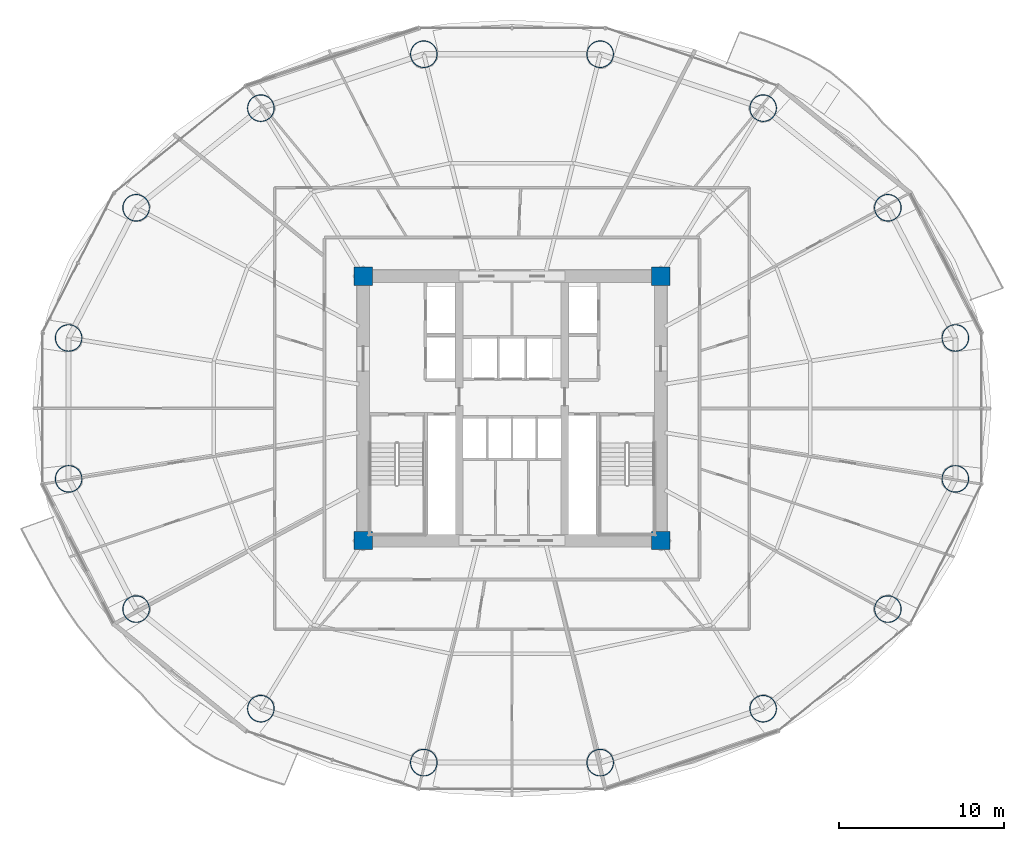
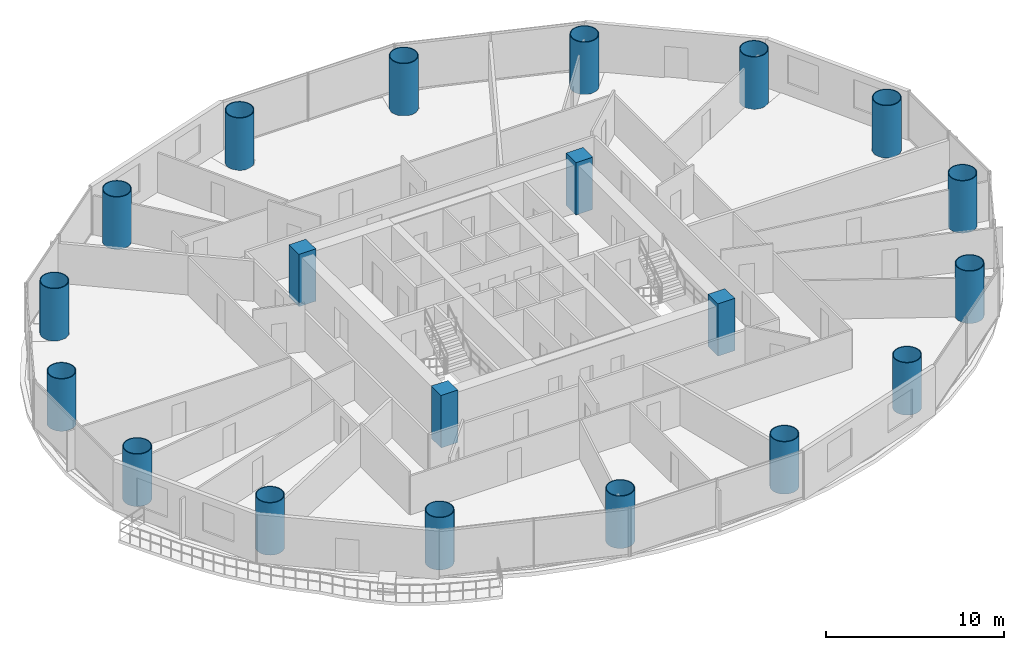
# One storey, part 1 of 29: 20 columns.
"""IFC4 building model written with IfcOpenShell, lengths in metres."""

from ifc_helpers import new_model, si_unit, direction, frame, origin, origin_2d, place, context, subcontext, project, spatial, rectangle, hollow_circle, extrude, material, material_profile, profile_set, type_object, element, save


model = new_model("IFC4")

# Units and contexts
model_context = context("Model", 3, precision=1e-05, world=origin(), true_north=direction((-0.2419218956, 0.970295726276)))
body_context = subcontext(model_context, "Body", "Model", "MODEL_VIEW")
ifc_project = project(units=[si_unit("LENGTHUNIT", "METRE"), si_unit("AREAUNIT", "SQUARE_METRE"), si_unit("VOLUMEUNIT", "CUBIC_METRE"), si_unit("PLANEANGLEUNIT", "RADIAN"), si_unit("MASSUNIT", "GRAM", prefix="KILO")], contexts=[model_context])

# Site, building, storey
site_placement = place(None, origin())
site = spatial("IfcSite", under=ifc_project, at=site_placement, CompositionType="ELEMENT")
building_placement = place(site_placement, origin())
building = spatial("IfcBuilding", under=site, at=building_placement, Name="Cobrevalo Terracotta Tower", CompositionType="ELEMENT")
storey_placement = place(building_placement, frame((0.0, 0.0, 67.199951171875)))
storey = spatial("IfcBuildingStorey", under=building, at=storey_placement, Name="L17", CompositionType="ELEMENT", Elevation=67.199951171875)

# Columns
ifc_material_1 = material(Name="Steel S355", Category="steel")
ifc_material_profile_1 = material_profile(ifc_material_1, hollow_circle(Radius=0.824951171875, WallThickness=0.050048828125, at=origin_2d()), Name="CHS 1650x50")
ifc_profile_set_1 = profile_set([ifc_material_profile_1], Name="Steel S355")
column_type_1 = type_object("IfcColumnType", Name="Structural Column CHS 1650x50 (Steel S355)", PredefinedType="COLUMN", material=ifc_profile_set_1)
for number, where, z_axis, x_axis, name in (
    (1, (64.824462890625, 31.062744140625, 0.0), (0.0, 0.0, 1.0), (1.0, 0.0, 0.0), "L17 composite megacolumn MC01"),
    (2, (60.74072265625, 38.939208984375, 0.0), (0.0, 0.0, 1.0), (1.0, 0.0, 0.0), "L17 composite megacolumn MC02"),
    (3, (53.19482421875, 44.967529296875, 0.0), (0.0, 0.0, 1.0), (1.0, 0.0, 0.0), "L17 composite megacolumn MC03"),
    (4, (43.335693359375, 48.230224609375, 0.0), (0.0, 0.0, 1.0), (1.0, 0.0, 0.0), "L17 composite megacolumn MC04"),
    (5, (32.664306640625, 48.230224609375, 0.0), (0.0, 0.0, 1.0), (1.0, 0.0, 0.0), "L17 composite megacolumn MC05"),
    (6, (22.80517578125, 44.967529296875, 0.0), (0.0, 0.0, 1.0), (1.0, 0.0, 0.0), "L17 composite megacolumn MC06"),
    (7, (15.25927734375, 38.939208984375, 0.0), (0.0, 0.0, 1.0), (1.0, 0.0, 0.0), "L17 composite megacolumn MC07"),
    (8, (11.175537109375, 31.062744140625, 0.0), (0.0, 0.0, 1.0), (1.0, 0.0, 0.0), "L17 composite megacolumn MC08"),
    (9, (11.175537109375, 22.537353515625, 0.0), (0.0, 0.0, 1.0), (1.0, 0.0, 0.0), "L17 composite megacolumn MC09"),
    (10, (15.25927734375, 14.660888671875, 0.0), (0.0, 0.0, 1.0), (1.0, 0.0, 0.0), "L17 composite megacolumn MC10"),
    (11, (22.80517578125, 8.63232421875, 0.0), (0.0, 0.0, 1.0), (1.0, 0.0, 0.0), "L17 composite megacolumn MC11"),
    (12, (32.664306640625, 5.369873046875, 0.0), (0.0, 0.0, 1.0), (1.0, 0.0, 0.0), "L17 composite megacolumn MC12"),
    (13, (43.335693359375, 5.369873046875, 0.0), (0.0, 0.0, 1.0), (1.0, 0.0, 0.0), "L17 composite megacolumn MC13"),
    (14, (53.19482421875, 8.63232421875, 0.0), (0.0, 0.0, 1.0), (1.0, 0.0, 0.0), "L17 composite megacolumn MC14"),
    (15, (60.74072265625, 14.660888671875, 0.0), (0.0, 0.0, 1.0), (1.0, 0.0, 0.0), "L17 composite megacolumn MC15"),
    (16, (64.824462890625, 22.537353515625, 0.0), (0.0, 0.0, 1.0), (1.0, 0.0, 0.0), "L17 composite megacolumn MC16"),
):
    element("IfcColumn", number, at=place(storey_placement, frame(where, z_axis=z_axis, x_axis=x_axis)), inside=storey, type_object=column_type_1, Name=name, PredefinedType="COLUMN", context=body_context, shape_type="SweptSolid", body=[
        extrude(hollow_circle(Radius=0.824951171875, WallThickness=0.050048828125, at=origin_2d()), origin(), (0.0, 0.0, 1.0), 3.60009765625),
    ])
ifc_material_2 = material(Name="Concrete C60", Category="concrete")
ifc_material_profile_2 = material_profile(ifc_material_2, rectangle(XDim=1.10009765625, YDim=1.10009765625, at=origin_2d()), Name="RC COL 1100x1100")
ifc_profile_set_2 = profile_set([ifc_material_profile_2], Name="Concrete C60")
column_type_2 = type_object("IfcColumnType", Name="Structural Column RC COL 1100x1100 (Concrete C60)", PredefinedType="COLUMN", material=ifc_profile_set_2)
for number, where, z_axis, x_axis, name in (
    (17, (29.0, 18.800048828125, 0.0), (0.0, 0.0, 1.0), (1.0, 0.0, 0.0), "L17 core corner column CC1"),
    (18, (47.0, 18.800048828125, 0.0), (0.0, 0.0, 1.0), (1.0, 0.0, 0.0), "L17 core corner column CC2"),
    (19, (47.0, 34.800048828125, 0.0), (0.0, 0.0, 1.0), (1.0, 0.0, 0.0), "L17 core corner column CC3"),
    (20, (29.0, 34.800048828125, 0.0), (0.0, 0.0, 1.0), (1.0, 0.0, 0.0), "L17 core corner column CC4"),
):
    element("IfcColumn", number, at=place(storey_placement, frame(where, z_axis=z_axis, x_axis=x_axis)), inside=storey, type_object=column_type_2, Name=name, PredefinedType="COLUMN", context=body_context, shape_type="SweptSolid", body=[
        extrude(rectangle(XDim=1.10009765625, YDim=1.10009765625, at=origin_2d()), origin(), (0.0, 0.0, 1.0), 3.60009765625),
    ])

save(model, "model.ifc")
